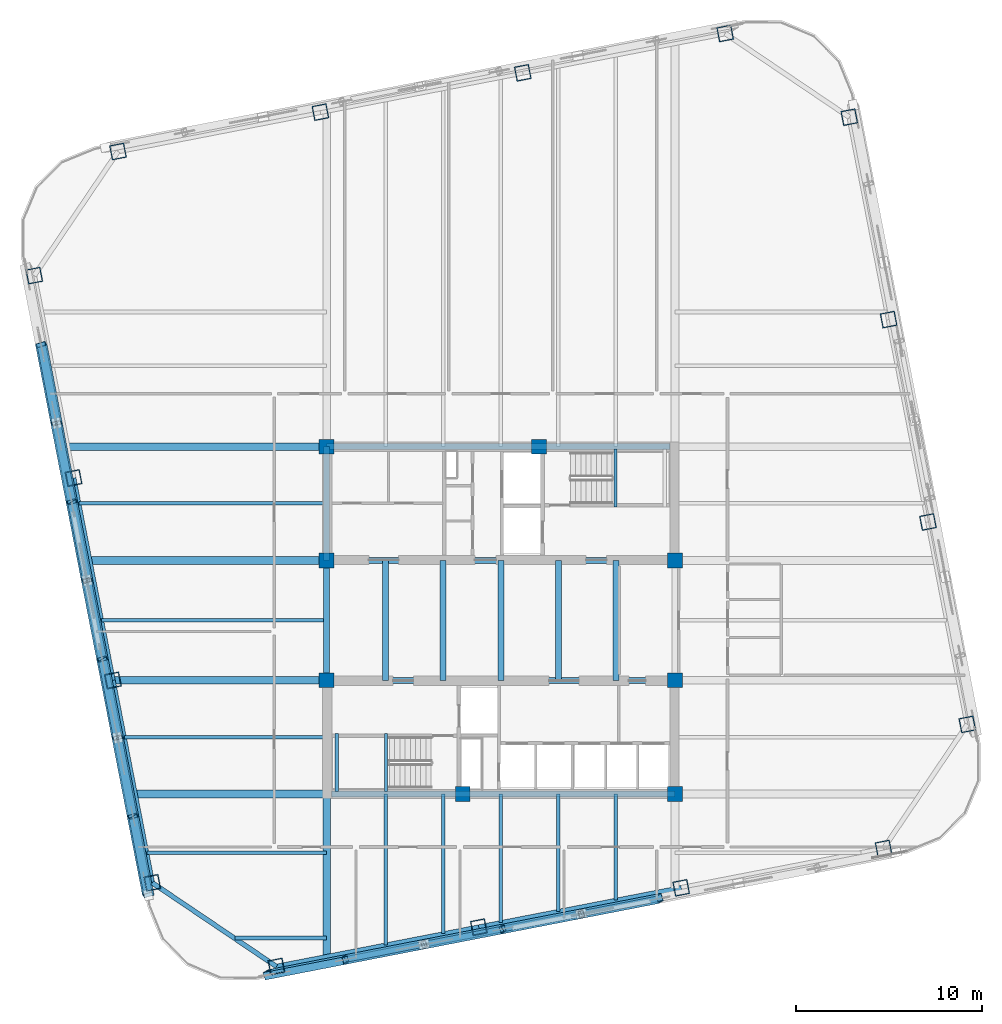
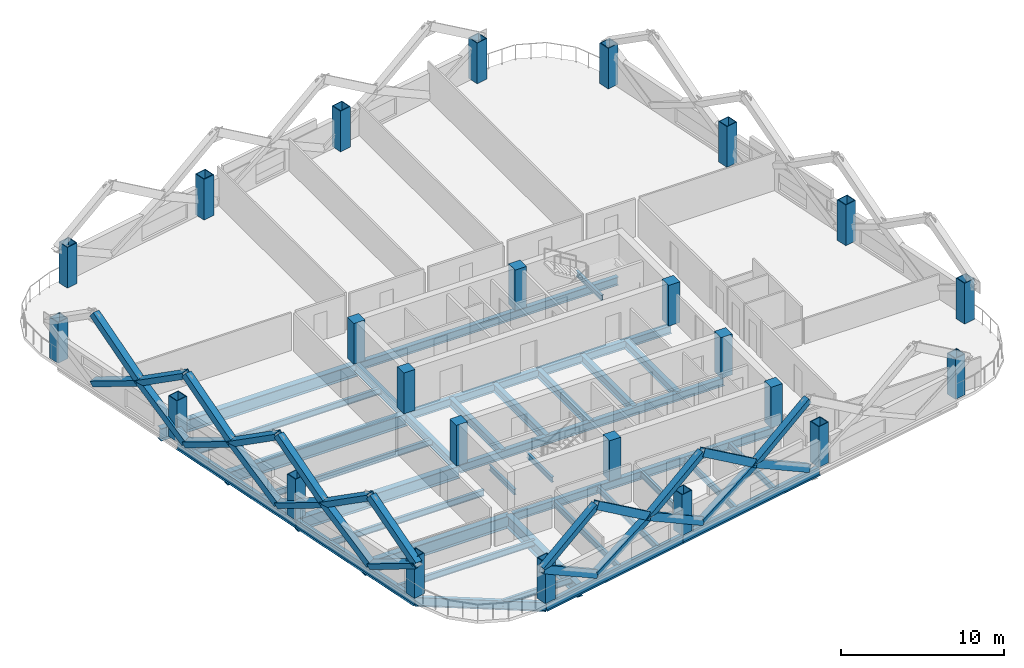
# One storey, part 1 of 10: 34 beams, 24 columns, 24 members.
"""IFC4 building model written with IfcOpenShell, lengths in metres."""

from ifc_helpers import new_model, si_unit, direction, frame, origin, origin_2d, place, context, subcontext, project, spatial, rectangle, hollow_rectangle, i_section, extrude, material, material_profile, profile_set, type_object, element, save


model = new_model("IFC4")

# Units and contexts
model_context = context("Model", 3, precision=1e-05, world=origin(), true_north=direction((0.0, 1.0)))
body_context = subcontext(model_context, "Body", "Model", "MODEL_VIEW")
ifc_project = project(units=[si_unit("LENGTHUNIT", "METRE"), si_unit("AREAUNIT", "SQUARE_METRE"), si_unit("VOLUMEUNIT", "CUBIC_METRE"), si_unit("PLANEANGLEUNIT", "RADIAN"), si_unit("MASSUNIT", "GRAM", prefix="KILO")], contexts=[model_context])

# Site, building, storey
site_placement = place(None, origin())
site = spatial("IfcSite", under=ifc_project, at=site_placement, CompositionType="ELEMENT")
building_placement = place(site_placement, origin())
building = spatial("IfcBuilding", under=site, at=building_placement, Name="Qhalaya Broadcast Tower", CompositionType="ELEMENT")
storey_placement = place(building_placement, frame((0.0, 0.0, 125.0)))
storey = spatial("IfcBuildingStorey", under=building, at=storey_placement, Name="L36", CompositionType="ELEMENT", Elevation=125.0)

# Columns
ifc_material_1 = material(Name="Concrete C50/60", Category="concrete")
ifc_material_profile_1 = material_profile(ifc_material_1, rectangle(XDim=0.800048828125, YDim=0.800048828125, at=origin_2d()), Name="RC-COL 800x800")
ifc_profile_set_1 = profile_set([ifc_material_profile_1], Name="Concrete C50/60")
column_type_1 = type_object("IfcColumnType", Name="RC Upper Column C10", PredefinedType="COLUMN", material=ifc_profile_set_1)
for number, where, z_axis, x_axis, name in (
    (1, (-9.375, 9.949951171875, 0.0), (0.0, 0.0, 1.0), (1.0, 0.0, 0.0), "L36 Column COL-CC1"),
    (2, (2.050048828125, 9.949951171875, 0.0), (0.0, 0.0, 1.0), (1.0, 0.0, 0.0), "L36 Column COL-CC2"),
    (3, (-9.375, 3.824951171875, 0.0), (0.0, 0.0, 1.0), (1.0, 0.0, 0.0), "L36 Column COL-CC3"),
    (4, (9.375, 3.824951171875, 0.0), (0.0, 0.0, 1.0), (1.0, 0.0, 0.0), "L36 Column COL-CC4"),
    (5, (-9.375, -2.625, 0.0), (0.0, 0.0, 1.0), (1.0, 0.0, 0.0), "L36 Column COL-CC5"),
    (6, (9.375, -2.625, 0.0), (0.0, 0.0, 1.0), (1.0, 0.0, 0.0), "L36 Column COL-CC6"),
    (7, (-2.050048828125, -8.75, 0.0), (0.0, 0.0, 1.0), (1.0, 0.0, 0.0), "L36 Column COL-CC7"),
    (8, (9.375, -8.75, 0.0), (0.0, 0.0, 1.0), (1.0, 0.0, 0.0), "L36 Column COL-CC8"),
):
    element("IfcColumn", number, at=place(storey_placement, frame(where, z_axis=z_axis, x_axis=x_axis)), inside=storey, type_object=column_type_1, Name=name, PredefinedType="COLUMN", context=body_context, shape_type="SweptSolid", body=[
        extrude(rectangle(XDim=0.800048828125, YDim=0.800048828125, at=origin_2d()), origin(), (0.0, 0.0, 1.0), 3.050048828125),
    ])
ifc_material_2 = material(Name="Structural Steel ASTM A572 Grade 50", Category="steel")
ifc_material_profile_2 = material_profile(ifc_material_2, hollow_rectangle(XDim=0.800048828125, YDim=0.800048828125, WallThickness=0.050048828125, at=origin_2d()), Name="BOX 800x800x50")
ifc_profile_set_2 = profile_set([ifc_material_profile_2], Name="Structural Steel ASTM A572 Grade 50")
column_type_2 = type_object("IfcColumnType", Name="Steel Box Column C03", PredefinedType="COLUMN", material=ifc_profile_set_2)
for number, where, z_axis, x_axis, name in (
    (9, (-12.07958984375, -18.036376953125, 0.0), (0.0, 0.0, 1.0), (0.981627183448, 0.190808995377, 0.0), "L36 Column COL-EX01"),
    (10, (-1.183349609375, -15.91845703125, 0.0), (0.0, 0.0, 1.0), (0.981627183448, 0.190808995377, 0.0), "L36 Column COL-EX02"),
    (11, (9.712646484375, -13.80029296875, 0.0), (0.0, 0.0, 1.0), (0.981627183448, 0.190808995377, 0.0), "L36 Column COL-EX03"),
    (12, (20.608642578125, -11.682373046875, 0.0), (0.0, 0.0, 1.0), (0.981627183448, 0.190808995377, 0.0), "L36 Column COL-EX04"),
    (13, (25.1162109375, -4.99951171875, 0.0), (0.0, 0.0, 1.0), (-0.190808995377, 0.981627183448, 0.0), "L36 Column COL-EX05"),
    (14, (22.998291015625, 5.896484375, 0.0), (0.0, 0.0, 1.0), (-0.190808995377, 0.981627183448, 0.0), "L36 Column COL-EX06"),
    (15, (20.88037109375, 16.79248046875, 0.0), (0.0, 0.0, 1.0), (-0.190808995377, 0.981627183448, 0.0), "L36 Column COL-EX07"),
    (16, (18.762451171875, 27.688720703125, 0.0), (0.0, 0.0, 1.0), (-0.190808995377, 0.981627183448, 0.0), "L36 Column COL-EX08"),
    (17, (12.07958984375, 32.1962890625, 0.0), (0.0, 0.0, 1.0), (0.981627183448, 0.190808995377, 0.0), "L36 Column COL-EX09"),
    (18, (1.183349609375, 30.078369140625, 0.0), (0.0, 0.0, 1.0), (0.981627183448, 0.190808995377, 0.0), "L36 Column COL-EX10"),
    (19, (-9.712646484375, 27.96044921875, 0.0), (0.0, 0.0, 1.0), (0.981627183448, 0.190808995377, 0.0), "L36 Column COL-EX11"),
    (20, (-20.608642578125, 25.84228515625, 0.0), (0.0, 0.0, 1.0), (0.981627183448, 0.190808995377, 0.0), "L36 Column COL-EX12"),
    (21, (-25.1162109375, 19.159423828125, 0.0), (0.0, 0.0, 1.0), (-0.190808995377, 0.981627183448, 0.0), "L36 Column COL-EX13"),
    (22, (-22.998291015625, 8.263427734375, 0.0), (0.0, 0.0, 1.0), (-0.190808995377, 0.981627183448, 0.0), "L36 Column COL-EX14"),
    (23, (-20.88037109375, -2.632568359375, 0.0), (0.0, 0.0, 1.0), (-0.190808995377, 0.981627183448, 0.0), "L36 Column COL-EX15"),
    (24, (-18.762451171875, -13.52880859375, 0.0), (0.0, 0.0, 1.0), (-0.190808995377, 0.981627183448, 0.0), "L36 Column COL-EX16"),
):
    element("IfcColumn", number, at=place(storey_placement, frame(where, z_axis=z_axis, x_axis=x_axis)), inside=storey, type_object=column_type_2, Name=name, PredefinedType="COLUMN", context=body_context, shape_type="SweptSolid", body=[
        extrude(hollow_rectangle(XDim=0.800048828125, YDim=0.800048828125, WallThickness=0.050048828125, at=origin_2d()), origin(), (0.0, 0.0, 1.0), 3.050048828125),
    ])

# Beams
ifc_material_3 = material(Name="Structural Steel ASTM A992 Grade 50", Category="steel")
ifc_material_profile_3 = material_profile(ifc_material_3, i_section(OverallWidth=0.19189453125, OverallDepth=0.462890625, WebThickness=0.010498046875, FlangeThickness=0.017578125, at=origin_2d()), Name="W18X60")
ifc_profile_set_3 = profile_set([ifc_material_profile_3], Name="Structural Steel ASTM A992 Grade 50")
beam_type_1 = type_object("IfcBeamType", Name="Composite Floor Joist J03", PredefinedType="JOIST", material=ifc_profile_set_3)
beam_1_placement = place(storey_placement, frame((-6.199951171875, -16.873046875, -0.451416015625), z_axis=(0.0, 1.0, 0.0), x_axis=(-1.0, 0.0, 0.0)))
element("IfcBeam", 25, at=beam_1_placement, inside=storey, type_object=beam_type_1, Name="L36 J03 L36-JNS1-1", PredefinedType="JOIST", context=body_context, shape_type="SweptSolid", body=[
    extrude(i_section(OverallWidth=0.19189453125, OverallDepth=0.462890625, WebThickness=0.010498046875, FlangeThickness=0.017578125, at=origin_2d()), origin(), (0.0, 0.0, 1.0), 8.123046875),
])
beam_2_placement = place(storey_placement, frame((-3.10009765625, -16.2705078125, -0.451416015625), z_axis=(0.0, 1.0, 0.0), x_axis=(-1.0, 0.0, 0.0)))
element("IfcBeam", 26, at=beam_2_placement, inside=storey, type_object=beam_type_1, Name="L36 J03 L36-JNS2-1", PredefinedType="JOIST", context=body_context, shape_type="SweptSolid", body=[
    extrude(i_section(OverallWidth=0.19189453125, OverallDepth=0.462890625, WebThickness=0.010498046875, FlangeThickness=0.017578125, at=origin_2d()), origin(), (0.0, 0.0, 1.0), 7.5205078125),
])
beam_3_placement = place(storey_placement, frame((0.0, -15.66796875, -0.451416015625), z_axis=(0.0, 1.0, 0.0), x_axis=(-1.0, 0.0, 0.0)))
element("IfcBeam", 27, at=beam_3_placement, inside=storey, type_object=beam_type_1, Name="L36 J03 L36-JNS3-1", PredefinedType="JOIST", context=body_context, shape_type="SweptSolid", body=[
    extrude(i_section(OverallWidth=0.19189453125, OverallDepth=0.462890625, WebThickness=0.010498046875, FlangeThickness=0.017578125, at=origin_2d()), origin(), (0.0, 0.0, 1.0), 6.91796875),
])
beam_4_placement = place(storey_placement, frame((3.10009765625, -15.0654296875, -0.451416015625), z_axis=(0.0, 1.0, 0.0), x_axis=(-1.0, 0.0, 0.0)))
element("IfcBeam", 28, at=beam_4_placement, inside=storey, type_object=beam_type_1, Name="L36 J03 L36-JNS4-1", PredefinedType="JOIST", context=body_context, shape_type="SweptSolid", body=[
    extrude(i_section(OverallWidth=0.19189453125, OverallDepth=0.462890625, WebThickness=0.010498046875, FlangeThickness=0.017578125, at=origin_2d()), origin(), (0.0, 0.0, 1.0), 6.3154296875),
])
beam_5_placement = place(storey_placement, frame((6.199951171875, -14.462890625, -0.451416015625), z_axis=(0.0, 1.0, 0.0), x_axis=(-1.0, 0.0, 0.0)))
element("IfcBeam", 29, at=beam_5_placement, inside=storey, type_object=beam_type_1, Name="L36 J03 L36-JNS5-1", PredefinedType="JOIST", context=body_context, shape_type="SweptSolid", body=[
    extrude(i_section(OverallWidth=0.19189453125, OverallDepth=0.462890625, WebThickness=0.010498046875, FlangeThickness=0.017578125, at=origin_2d()), origin(), (0.0, 0.0, 1.0), 5.712890625),
])
beam_6_placement = place(storey_placement, frame((-14.3212890625, -16.5, -0.451416015625), z_axis=(1.0, 0.0, 0.0), x_axis=(0.0, 1.0, 0.0)))
element("IfcBeam", 30, at=beam_6_placement, inside=storey, type_object=beam_type_1, Name="L36 J03 L36-JWE1W-1", PredefinedType="JOIST", context=body_context, shape_type="SweptSolid", body=[
    extrude(i_section(OverallWidth=0.19189453125, OverallDepth=0.462890625, WebThickness=0.010498046875, FlangeThickness=0.017578125, at=origin_2d()), origin(), (0.0, 0.0, 1.0), 4.9462890625),
])
beam_7_placement = place(storey_placement, frame((-19.05859375, -11.89990234375, -0.451416015625), z_axis=(1.0, 0.0, 0.0), x_axis=(0.0, 1.0, 0.0)))
element("IfcBeam", 31, at=beam_7_placement, inside=storey, type_object=beam_type_1, Name="L36 J03 L36-JWE2W-1", PredefinedType="JOIST", context=body_context, shape_type="SweptSolid", body=[
    extrude(i_section(OverallWidth=0.19189453125, OverallDepth=0.462890625, WebThickness=0.010498046875, FlangeThickness=0.017578125, at=origin_2d()), origin(), (0.0, 0.0, 1.0), 9.68359375),
])
beam_8_placement = place(storey_placement, frame((-20.263916015625, -5.699951171875, -0.451416015625), z_axis=(1.0, 0.0, 0.0), x_axis=(0.0, 1.0, 0.0)))
element("IfcBeam", 32, at=beam_8_placement, inside=storey, type_object=beam_type_1, Name="L36 J03 L36-JWE3W-1", PredefinedType="JOIST", context=body_context, shape_type="SweptSolid", body=[
    extrude(i_section(OverallWidth=0.19189453125, OverallDepth=0.462890625, WebThickness=0.010498046875, FlangeThickness=0.017578125, at=origin_2d()), origin(), (0.0, 0.0, 1.0), 10.888916015625),
])
beam_9_placement = place(storey_placement, frame((-21.48828125, 0.60009765625, -0.451416015625), z_axis=(1.0, 0.0, 0.0), x_axis=(0.0, 1.0, 0.0)))
element("IfcBeam", 33, at=beam_9_placement, inside=storey, type_object=beam_type_1, Name="L36 J03 L36-JWE4W-1", PredefinedType="JOIST", context=body_context, shape_type="SweptSolid", body=[
    extrude(i_section(OverallWidth=0.19189453125, OverallDepth=0.462890625, WebThickness=0.010498046875, FlangeThickness=0.017578125, at=origin_2d()), origin(), (0.0, 0.0, 1.0), 12.11328125),
])
beam_10_placement = place(storey_placement, frame((-22.712890625, 6.89990234375, -0.451416015625), z_axis=(1.0, 0.0, 0.0), x_axis=(0.0, 1.0, 0.0)))
element("IfcBeam", 34, at=beam_10_placement, inside=storey, type_object=beam_type_1, Name="L36 J03 L36-JWE5W-1", PredefinedType="JOIST", context=body_context, shape_type="SweptSolid", body=[
    extrude(i_section(OverallWidth=0.19189453125, OverallDepth=0.462890625, WebThickness=0.010498046875, FlangeThickness=0.017578125, at=origin_2d()), origin(), (0.0, 0.0, 1.0), 13.337890625),
])
ifc_material_profile_4 = material_profile(ifc_material_3, i_section(OverallWidth=0.323974609375, OverallDepth=0.612060546875, WebThickness=0.0126953125, FlangeThickness=0.01904296875, at=origin_2d()), Name="W24X104")
ifc_profile_set_4 = profile_set([ifc_material_profile_4], Name="Structural Steel ASTM A992 Grade 50")
beam_type_2 = type_object("IfcBeamType", Name="Core Frame Tie Beam B04", PredefinedType="BEAM", material=ifc_profile_set_4)
beam_11_placement = place(storey_placement, frame((-9.375, 3.824951171875, -0.52587890625), z_axis=(1.0, 0.0, 0.0), x_axis=(0.0, 1.0, 0.0)))
element("IfcBeam", 35, at=beam_11_placement, inside=storey, type_object=beam_type_2, Name="L36 B04 L36-CCN1", PredefinedType="BEAM", context=body_context, shape_type="SweptSolid", body=[
    extrude(i_section(OverallWidth=0.323974609375, OverallDepth=0.612060546875, WebThickness=0.0126953125, FlangeThickness=0.01904296875, at=origin_2d()), origin(), (0.0, 0.0, 1.0), 18.75),
])
beam_12_placement = place(storey_placement, frame((-9.375, 3.824951171875, -0.52587890625), z_axis=(0.0, 1.0, 0.0), x_axis=(-1.0, 0.0, 0.0)))
element("IfcBeam", 36, at=beam_12_placement, inside=storey, type_object=beam_type_2, Name="L36 B04 L36-CCN2", PredefinedType="BEAM", context=body_context, shape_type="SweptSolid", body=[
    extrude(i_section(OverallWidth=0.323974609375, OverallDepth=0.612060546875, WebThickness=0.0126953125, FlangeThickness=0.01904296875, at=origin_2d()), origin(), (0.0, 0.0, 1.0), 6.125),
])
beam_13_placement = place(storey_placement, frame((-9.375, 9.949951171875, -0.52587890625), z_axis=(1.0, 0.0, 0.0), x_axis=(0.0, 1.0, 0.0)))
element("IfcBeam", 37, at=beam_13_placement, inside=storey, type_object=beam_type_2, Name="L36 B04 L36-CCN3", PredefinedType="BEAM", context=body_context, shape_type="SweptSolid", body=[
    extrude(i_section(OverallWidth=0.323974609375, OverallDepth=0.612060546875, WebThickness=0.0126953125, FlangeThickness=0.01904296875, at=origin_2d()), origin(), (0.0, 0.0, 1.0), 18.4951171875),
])
beam_14_placement = place(storey_placement, frame((-9.375, -2.625, -0.52587890625), z_axis=(1.0, 0.0, 0.0), x_axis=(0.0, 1.0, 0.0)))
element("IfcBeam", 38, at=beam_14_placement, inside=storey, type_object=beam_type_2, Name="L36 B04 L36-CCS1", PredefinedType="BEAM", context=body_context, shape_type="SweptSolid", body=[
    extrude(i_section(OverallWidth=0.323974609375, OverallDepth=0.612060546875, WebThickness=0.0126953125, FlangeThickness=0.01904296875, at=origin_2d()), origin(), (0.0, 0.0, 1.0), 18.75),
])
beam_15_placement = place(storey_placement, frame((-9.1201171875, -8.75, -0.52587890625), z_axis=(1.0, 0.0, 0.0), x_axis=(0.0, 1.0, 0.0)))
element("IfcBeam", 39, at=beam_15_placement, inside=storey, type_object=beam_type_2, Name="L36 B04 L36-CCS3", PredefinedType="BEAM", context=body_context, shape_type="SweptSolid", body=[
    extrude(i_section(OverallWidth=0.323974609375, OverallDepth=0.612060546875, WebThickness=0.0126953125, FlangeThickness=0.01904296875, at=origin_2d()), origin(), (0.0, 0.0, 1.0), 18.4951171875),
])
for number, where, z_axis, x_axis, name in (
    (40, (-9.375, -2.625, -0.52587890625), (0.0, 1.0, 0.0), (-1.0, 0.0, 0.0), "L36 B04 L36-CCW"),
    (41, (-6.199951171875, -2.625, -0.52587890625), (0.0, 1.0, 0.0), (-1.0, 0.0, 0.0), "L36 B04 L36-JC1-1"),
    (42, (-3.10009765625, -2.625, -0.52587890625), (0.0, 1.0, 0.0), (-1.0, 0.0, 0.0), "L36 B04 L36-JC2-1"),
    (43, (0.0, -2.625, -0.52587890625), (0.0, 1.0, 0.0), (-1.0, 0.0, 0.0), "L36 B04 L36-JC3-1"),
    (44, (3.10009765625, -2.625, -0.52587890625), (0.0, 1.0, 0.0), (-1.0, 0.0, 0.0), "L36 B04 L36-JC4-1"),
    (45, (6.199951171875, -2.625, -0.52587890625), (0.0, 1.0, 0.0), (-1.0, 0.0, 0.0), "L36 B04 L36-JC5-1"),
):
    element("IfcBeam", number, at=place(storey_placement, frame(where, z_axis=z_axis, x_axis=x_axis)), inside=storey, type_object=beam_type_2, Name=name, PredefinedType="BEAM", context=body_context, shape_type="SweptSolid", body=[
        extrude(i_section(OverallWidth=0.323974609375, OverallDepth=0.612060546875, WebThickness=0.0126953125, FlangeThickness=0.01904296875, at=origin_2d()), origin(), (0.0, 0.0, 1.0), 6.449951171875),
    ])

# Members
ifc_material_profile_5 = material_profile(ifc_material_2, hollow_rectangle(XDim=0.419921875, YDim=0.550048828125, WallThickness=0.028076171875, at=origin_2d()), Name="BOX 420x550x28")
ifc_profile_set_5 = profile_set([ifc_material_profile_5], Name="Structural Steel ASTM A572 Grade 50")
member_type = type_object("IfcMemberType", Name="Exoskeleton Diamond Diagonal Mid-Low EX2", PredefinedType="BRACE", material=ifc_profile_set_5)
for number, where, z_axis, x_axis, name in (
    (46, (-8.370361328125, -17.66162109375, 0.360107421875), (-0.863638454011, -0.167906178469, 0.475327398733), (0.276367332329, -0.94627634662, 0.167875470061), "B3 Exoskeleton Diamond Brace S1-D1"),
    (47, (-8.370361328125, -17.66162109375, 0.360107421875), (0.863645675846, 0.16785777309, 0.47533137347), (-0.276315488493, 0.946291559163, 0.167875060316), "B3 Exoskeleton Diamond Brace S1-D2"),
):
    element("IfcMember", number, at=place(storey_placement, frame(where, z_axis=z_axis, x_axis=x_axis)), inside=storey, type_object=member_type, Name=name, PredefinedType="BRACE", context=body_context, shape_type="SweptSolid", body=[
        extrude(hollow_rectangle(XDim=0.419921875, YDim=0.550048828125, WallThickness=0.028076171875, at=origin_2d()), origin(), (0.0, 0.0, 1.0), 4.901611328125),
    ])
for number, where, z_axis, x_axis, name in (
    (48, (-12.603515625, -18.484619140625, 2.68994140625), (0.822423775729, 0.159893335716, 0.545942537553), (-0.289593689204, 0.943704915221, 0.15986409278), "B3 Exoskeleton Diamond Brace S1-D3"),
    (49, (-4.13720703125, -16.8388671875, 2.68994140625), (-0.822430012189, -0.159847115813, 0.545946677449), (0.289542019185, -0.943720856791, 0.159863578043), "B3 Exoskeleton Diamond Brace S1-D4"),
):
    element("IfcMember", number, at=place(storey_placement, frame(where, z_axis=z_axis, x_axis=x_axis)), inside=storey, type_object=member_type, Name=name, PredefinedType="BRACE", context=body_context, shape_type="SweptSolid", body=[
        extrude(hollow_rectangle(XDim=0.419921875, YDim=0.550048828125, WallThickness=0.028076171875, at=origin_2d()), origin(), (0.0, 0.0, 1.0), 5.147216796875),
    ])
member_1_placement = place(storey_placement, frame((0.09619140625, -16.01611328125, 0.360107421875), z_axis=(-0.86365833241, -0.167850552493, 0.475310926539), x_axis=(0.276301438011, -0.94629528784, 0.16787716809)))
element("IfcMember", 50, at=member_1_placement, inside=storey, type_object=member_type, Name="B3 Exoskeleton Diamond Brace S2-D1", PredefinedType="BRACE", context=body_context, shape_type="SweptSolid", body=[
    extrude(hollow_rectangle(XDim=0.419921875, YDim=0.550048828125, WallThickness=0.028076171875, at=origin_2d()), origin(), (0.0, 0.0, 1.0), 4.901611328125),
])
member_2_placement = place(storey_placement, frame((0.09619140625, -16.01611328125, 0.360107421875), z_axis=(0.863651111089, 0.16789895591, 0.475306952314), x_axis=(-0.276353279337, 0.946280076872, 0.16787757776)))
element("IfcMember", 51, at=member_2_placement, inside=storey, type_object=member_type, Name="B3 Exoskeleton Diamond Brace S2-D2", PredefinedType="BRACE", context=body_context, shape_type="SweptSolid", body=[
    extrude(hollow_rectangle(XDim=0.419921875, YDim=0.550048828125, WallThickness=0.028076171875, at=origin_2d()), origin(), (0.0, 0.0, 1.0), 4.90185546875),
])
member_3_placement = place(storey_placement, frame((-4.13720703125, -16.8388671875, 2.68994140625), z_axis=(0.822445360829, 0.159840880392, 0.545925380804), x_axis=(-0.289527837313, 0.943724759255, 0.159866225918)))
element("IfcMember", 52, at=member_3_placement, inside=storey, type_object=member_type, Name="B3 Exoskeleton Diamond Brace S2-D3", PredefinedType="BRACE", context=body_context, shape_type="SweptSolid", body=[
    extrude(hollow_rectangle(XDim=0.419921875, YDim=0.550048828125, WallThickness=0.028076171875, at=origin_2d()), origin(), (0.0, 0.0, 1.0), 5.147216796875),
])
member_4_placement = place(storey_placement, frame((4.32958984375, -15.193115234375, 2.68994140625), z_axis=(-0.822439124739, -0.159887098587, 0.545921241393), x_axis=(0.289579504833, -0.943708819309, 0.159866740566)))
element("IfcMember", 53, at=member_4_placement, inside=storey, type_object=member_type, Name="B3 Exoskeleton Diamond Brace S2-D4", PredefinedType="BRACE", context=body_context, shape_type="SweptSolid", body=[
    extrude(hollow_rectangle(XDim=0.419921875, YDim=0.550048828125, WallThickness=0.028076171875, at=origin_2d()), origin(), (0.0, 0.0, 1.0), 5.1474609375),
])
member_5_placement = place(storey_placement, frame((8.562744140625, -14.370361328125, 0.360107421875), z_axis=(-0.863645675846, -0.16785777309, 0.47533137347), x_axis=(0.276315488493, -0.946291559163, 0.167875060316)))
element("IfcMember", 54, at=member_5_placement, inside=storey, type_object=member_type, Name="B3 Exoskeleton Diamond Brace S3-D1", PredefinedType="BRACE", context=body_context, shape_type="SweptSolid", body=[
    extrude(hollow_rectangle(XDim=0.419921875, YDim=0.550048828125, WallThickness=0.028076171875, at=origin_2d()), origin(), (0.0, 0.0, 1.0), 4.901611328125),
])
member_6_placement = place(storey_placement, frame((4.32958984375, -15.193115234375, 2.68994140625), z_axis=(0.822430012189, 0.159847115813, 0.545946677449), x_axis=(-0.289542019185, 0.943720856791, 0.159863578043)))
element("IfcMember", 55, at=member_6_placement, inside=storey, type_object=member_type, Name="B3 Exoskeleton Diamond Brace S3-D3", PredefinedType="BRACE", context=body_context, shape_type="SweptSolid", body=[
    extrude(hollow_rectangle(XDim=0.419921875, YDim=0.550048828125, WallThickness=0.028076171875, at=origin_2d()), origin(), (0.0, 0.0, 1.0), 5.147216796875),
])
member_7_placement = place(storey_placement, frame((-24.74169921875, 15.4501953125, 0.360107421875), z_axis=(0.167906178469, -0.863638454011, 0.475327398733), x_axis=(-0.276348676601, 0.421603745685, 0.863644423687)))
element("IfcMember", 56, at=member_7_placement, inside=storey, type_object=member_type, Name="B3 Exoskeleton Diamond Brace W1-D2", PredefinedType="BRACE", context=body_context, shape_type="SweptSolid", body=[
    extrude(hollow_rectangle(XDim=0.419921875, YDim=0.550048828125, WallThickness=0.028076171875, at=origin_2d()), origin(), (0.0, 0.0, 1.0), 4.901611328125),
])
member_8_placement = place(storey_placement, frame((-23.918701171875, 11.217041015625, 2.68994140625), z_axis=(-0.159893335716, 0.822423775729, 0.545942537553), x_axis=(0.289577544331, -0.489647453062, 0.822429460519)))
element("IfcMember", 57, at=member_8_placement, inside=storey, type_object=member_type, Name="B3 Exoskeleton Diamond Brace W1-D4", PredefinedType="BRACE", context=body_context, shape_type="SweptSolid", body=[
    extrude(hollow_rectangle(XDim=0.419921875, YDim=0.550048828125, WallThickness=0.028076171875, at=origin_2d()), origin(), (0.0, 0.0, 1.0), 5.147216796875),
])
for number, where, z_axis, x_axis, name in (
    (58, (-23.095947265625, 6.98388671875, 0.360107421875), (-0.16785777309, 0.863645675846, 0.47533137347), (0.276325990581, -0.421622932738, 0.86364231573), "B3 Exoskeleton Diamond Brace W2-D1"),
    (59, (-23.095947265625, 6.98388671875, 0.360107421875), (0.167850552493, -0.86365833241, 0.475310926539), (-0.276317607547, 0.421606214628, 0.863653159287), "B3 Exoskeleton Diamond Brace W2-D2"),
):
    element("IfcMember", number, at=place(storey_placement, frame(where, z_axis=z_axis, x_axis=x_axis)), inside=storey, type_object=member_type, Name=name, PredefinedType="BRACE", context=body_context, shape_type="SweptSolid", body=[
        extrude(hollow_rectangle(XDim=0.419921875, YDim=0.550048828125, WallThickness=0.028076171875, at=origin_2d()), origin(), (0.0, 0.0, 1.0), 4.901611328125),
    ])
for number, where, z_axis, x_axis, name in (
    (60, (-23.918701171875, 11.217041015625, 2.68994140625), (0.159847115813, -0.822430012189, 0.545946677449), (-0.289551107794, 0.489667534331, 0.822426812426), "B3 Exoskeleton Diamond Brace W2-D3"),
    (61, (-22.273193359375, 2.75048828125, 2.68994140625), (-0.159840880392, 0.822445360829, 0.545925380804), (0.289541830698, -0.489650140275, 0.822440434563), "B3 Exoskeleton Diamond Brace W2-D4"),
):
    element("IfcMember", number, at=place(storey_placement, frame(where, z_axis=z_axis, x_axis=x_axis)), inside=storey, type_object=member_type, Name=name, PredefinedType="BRACE", context=body_context, shape_type="SweptSolid", body=[
        extrude(hollow_rectangle(XDim=0.419921875, YDim=0.550048828125, WallThickness=0.028076171875, at=origin_2d()), origin(), (0.0, 0.0, 1.0), 5.147216796875),
    ])
for number, where, z_axis, x_axis, name in (
    (62, (-21.4501953125, -1.482666015625, 0.360107421875), (-0.167906178469, 0.863638454011, 0.475327398733), (0.276348676601, -0.421603745685, 0.863644423687), "B3 Exoskeleton Diamond Brace W3-D1"),
    (63, (-21.4501953125, -1.482666015625, 0.360107421875), (0.167850552493, -0.86365833241, 0.475310926539), (-0.276317607547, 0.421606214628, 0.863653159287), "B3 Exoskeleton Diamond Brace W3-D2"),
):
    element("IfcMember", number, at=place(storey_placement, frame(where, z_axis=z_axis, x_axis=x_axis)), inside=storey, type_object=member_type, Name=name, PredefinedType="BRACE", context=body_context, shape_type="SweptSolid", body=[
        extrude(hollow_rectangle(XDim=0.419921875, YDim=0.550048828125, WallThickness=0.028076171875, at=origin_2d()), origin(), (0.0, 0.0, 1.0), 4.901611328125),
    ])
for number, where, z_axis, x_axis, name in (
    (64, (-22.273193359375, 2.75048828125, 2.68994140625), (0.159893335716, -0.822423775729, 0.545942537553), (-0.289577544331, 0.489647453062, 0.822429460519), "B3 Exoskeleton Diamond Brace W3-D3"),
    (65, (-20.62744140625, -5.716064453125, 2.68994140625), (-0.159840880392, 0.822445360829, 0.545925380804), (0.289541830698, -0.489650140275, 0.822440434563), "B3 Exoskeleton Diamond Brace W3-D4"),
):
    element("IfcMember", number, at=place(storey_placement, frame(where, z_axis=z_axis, x_axis=x_axis)), inside=storey, type_object=member_type, Name=name, PredefinedType="BRACE", context=body_context, shape_type="SweptSolid", body=[
        extrude(hollow_rectangle(XDim=0.419921875, YDim=0.550048828125, WallThickness=0.028076171875, at=origin_2d()), origin(), (0.0, 0.0, 1.0), 5.147216796875),
    ])
for number, where, z_axis, x_axis, name in (
    (66, (-19.804443359375, -9.94921875, 0.360107421875), (-0.167906178469, 0.863638454011, 0.475327398733), (0.276348676601, -0.421603745685, 0.863644423687), "B3 Exoskeleton Diamond Brace W4-D1"),
    (67, (-19.804443359375, -9.94921875, 0.360107421875), (0.167850552493, -0.86365833241, 0.475310926539), (-0.276317607547, 0.421606214628, 0.863653159287), "B3 Exoskeleton Diamond Brace W4-D2"),
):
    element("IfcMember", number, at=place(storey_placement, frame(where, z_axis=z_axis, x_axis=x_axis)), inside=storey, type_object=member_type, Name=name, PredefinedType="BRACE", context=body_context, shape_type="SweptSolid", body=[
        extrude(hollow_rectangle(XDim=0.419921875, YDim=0.550048828125, WallThickness=0.028076171875, at=origin_2d()), origin(), (0.0, 0.0, 1.0), 4.901611328125),
    ])
for number, where, z_axis, x_axis, name in (
    (68, (-20.62744140625, -5.716064453125, 2.68994140625), (0.159893335716, -0.822423775729, 0.545942537553), (-0.289577544331, 0.489647453062, 0.822429460519), "B3 Exoskeleton Diamond Brace W4-D3"),
    (69, (-18.981689453125, -14.1826171875, 2.68994140625), (-0.159840880392, 0.822445360829, 0.545925380804), (0.289541830698, -0.489650140275, 0.822440434563), "B3 Exoskeleton Diamond Brace W4-D4"),
):
    element("IfcMember", number, at=place(storey_placement, frame(where, z_axis=z_axis, x_axis=x_axis)), inside=storey, type_object=member_type, Name=name, PredefinedType="BRACE", context=body_context, shape_type="SweptSolid", body=[
        extrude(hollow_rectangle(XDim=0.419921875, YDim=0.550048828125, WallThickness=0.028076171875, at=origin_2d()), origin(), (0.0, 0.0, 1.0), 5.147216796875),
    ])

# Beams
ifc_material_profile_6 = material_profile(ifc_material_3, i_section(OverallWidth=0.4189453125, OverallDepth=0.927001953125, WebThickness=0.019287109375, FlangeThickness=0.031982421875, at=origin_2d()), Name="W36X231")
ifc_profile_set_6 = profile_set([ifc_material_profile_6], Name="Structural Steel ASTM A992 Grade 50")
beam_type_3 = type_object("IfcBeamType", Name="Mid Block Primary Girder PG3", PredefinedType="USERDEFINED", material=ifc_profile_set_6)
beam_16_placement = place(storey_placement, frame((-9.375, -17.490234375, -0.68359375), z_axis=(0.0, 1.0, 0.0), x_axis=(-1.0, 0.0, 0.0)))
element("IfcBeam", 70, at=beam_16_placement, inside=storey, type_object=beam_type_3, Name="L36 PG3 L36-PGXS1-1", ObjectType="GIRDER", PredefinedType="USERDEFINED", context=body_context, shape_type="SweptSolid", body=[
    extrude(i_section(OverallWidth=0.4189453125, OverallDepth=0.927001953125, WebThickness=0.019287109375, FlangeThickness=0.031982421875, at=origin_2d()), origin(), (0.0, 0.0, 1.0), 8.740234375),
])
beam_17_placement = place(storey_placement, frame((-19.6708984375, -8.75, -0.68359375), z_axis=(1.0, 0.0, 0.0), x_axis=(0.0, 1.0, 0.0)))
element("IfcBeam", 71, at=beam_17_placement, inside=storey, type_object=beam_type_3, Name="L36 PG3 L36-PGYW1-1", ObjectType="GIRDER", PredefinedType="USERDEFINED", context=body_context, shape_type="SweptSolid", body=[
    extrude(i_section(OverallWidth=0.4189453125, OverallDepth=0.927001953125, WebThickness=0.019287109375, FlangeThickness=0.031982421875, at=origin_2d()), origin(), (0.0, 0.0, 1.0), 10.2958984375),
])
beam_18_placement = place(storey_placement, frame((-20.861572265625, -2.625, -0.68359375), z_axis=(1.0, 0.0, 0.0), x_axis=(0.0, 1.0, 0.0)))
element("IfcBeam", 72, at=beam_18_placement, inside=storey, type_object=beam_type_3, Name="L36 PG3 L36-PGYW2-1", ObjectType="GIRDER", PredefinedType="USERDEFINED", context=body_context, shape_type="SweptSolid", body=[
    extrude(i_section(OverallWidth=0.4189453125, OverallDepth=0.927001953125, WebThickness=0.019287109375, FlangeThickness=0.031982421875, at=origin_2d()), origin(), (0.0, 0.0, 1.0), 11.486572265625),
])
beam_19_placement = place(storey_placement, frame((-22.115234375, 3.824951171875, -0.68359375), z_axis=(1.0, 0.0, 0.0), x_axis=(0.0, 1.0, 0.0)))
element("IfcBeam", 73, at=beam_19_placement, inside=storey, type_object=beam_type_3, Name="L36 PG3 L36-PGYW3-1", ObjectType="GIRDER", PredefinedType="USERDEFINED", context=body_context, shape_type="SweptSolid", body=[
    extrude(i_section(OverallWidth=0.4189453125, OverallDepth=0.927001953125, WebThickness=0.019287109375, FlangeThickness=0.031982421875, at=origin_2d()), origin(), (0.0, 0.0, 1.0), 12.740234375),
])
beam_20_placement = place(storey_placement, frame((-23.305908203125, 9.949951171875, -0.68359375), z_axis=(1.0, 0.0, 0.0), x_axis=(0.0, 1.0, 0.0)))
element("IfcBeam", 74, at=beam_20_placement, inside=storey, type_object=beam_type_3, Name="L36 PG3 L36-PGYW4-1", ObjectType="GIRDER", PredefinedType="USERDEFINED", context=body_context, shape_type="SweptSolid", body=[
    extrude(i_section(OverallWidth=0.4189453125, OverallDepth=0.927001953125, WebThickness=0.019287109375, FlangeThickness=0.031982421875, at=origin_2d()), origin(), (0.0, 0.0, 1.0), 13.930908203125),
])
ifc_material_profile_7 = material_profile(ifc_material_3, i_section(OverallWidth=0.25390625, OverallDepth=0.68310546875, WebThickness=0.012451171875, FlangeThickness=0.01904296875, at=origin_2d()), Name="W27X94")
ifc_profile_set_7 = profile_set([ifc_material_profile_7], Name="Structural Steel ASTM A992 Grade 50")
beam_type_4 = type_object("IfcBeamType", Name="Perimeter Ring Spandrel Beam SP1", PredefinedType="SPANDREL", material=ifc_profile_set_7)
beam_21_placement = place(storey_placement, frame((-12.07958984375, -18.036376953125, -0.5615234375), z_axis=(0.98162878008, 0.190800781233, 0.0), x_axis=(-0.190800781233, 0.98162878008, 0.0)))
element("IfcBeam", 75, at=beam_21_placement, inside=storey, type_object=beam_type_4, Name="L36 SP1 L36-SPR-01", PredefinedType="SPANDREL", context=body_context, shape_type="SweptSolid", body=[
    extrude(i_section(OverallWidth=0.25390625, OverallDepth=0.68310546875, WebThickness=0.012451171875, FlangeThickness=0.01904296875, at=origin_2d()), origin(), (0.0, 0.0, 1.0), 11.10009765625),
])
for number, where, z_axis, x_axis, name in (
    (76, (-1.183349609375, -15.91845703125, -0.5615234375), (0.981623859527, 0.190826094673, 0.0), (-0.190826094673, 0.981623859527, 0.0), "L36 SP1 L36-SPR-02"),
    (77, (-22.998291015625, 8.263427734375, -0.5615234375), (0.190804900759, -0.981627979352, 0.0), (0.981627979352, 0.190804900759, 0.0), "L36 SP1 L36-SPR-14"),
):
    element("IfcBeam", number, at=place(storey_placement, frame(where, z_axis=z_axis, x_axis=x_axis)), inside=storey, type_object=beam_type_4, Name=name, PredefinedType="SPANDREL", context=body_context, shape_type="SweptSolid", body=[
        extrude(i_section(OverallWidth=0.25390625, OverallDepth=0.68310546875, WebThickness=0.012451171875, FlangeThickness=0.01904296875, at=origin_2d()), origin(), (0.0, 0.0, 1.0), 11.099853515625),
    ])
beam_22_placement = place(storey_placement, frame((-20.88037109375, -2.632568359375, -0.5615234375), z_axis=(0.190800781233, -0.98162878008, 0.0), x_axis=(0.98162878008, 0.190800781233, 0.0)))
element("IfcBeam", 78, at=beam_22_placement, inside=storey, type_object=beam_type_4, Name="L36 SP1 L36-SPR-15", PredefinedType="SPANDREL", context=body_context, shape_type="SweptSolid", body=[
    extrude(i_section(OverallWidth=0.25390625, OverallDepth=0.68310546875, WebThickness=0.012451171875, FlangeThickness=0.01904296875, at=origin_2d()), origin(), (0.0, 0.0, 1.0), 11.10009765625),
])
beam_23_placement = place(storey_placement, frame((-18.762451171875, -13.52880859375, -0.5615234375), z_axis=(0.829042088473, -0.559186208288, 0.0), x_axis=(0.559186208288, 0.829042088473, 0.0)))
element("IfcBeam", 79, at=beam_23_placement, inside=storey, type_object=beam_type_4, Name="L36 SP1 L36-SPR-16", PredefinedType="SPANDREL", context=body_context, shape_type="SweptSolid", body=[
    extrude(i_section(OverallWidth=0.25390625, OverallDepth=0.68310546875, WebThickness=0.012451171875, FlangeThickness=0.01904296875, at=origin_2d()), origin(), (0.0, 0.0, 1.0), 8.06103515625),
])
ifc_material_profile_8 = material_profile(ifc_material_3, i_section(OverallWidth=0.177978515625, OverallDepth=0.406005859375, WebThickness=0.0078125, FlangeThickness=0.0126953125, at=origin_2d()), Name="W16X40")
ifc_profile_set_8 = profile_set([ifc_material_profile_8], Name="Structural Steel ASTM A992 Grade 50")
beam_type_5 = type_object("IfcBeamType", Name="Upper Perimeter Spandrel Beam SP2", PredefinedType="SPANDREL", material=ifc_profile_set_8)
for number, where, z_axis, x_axis, name in (
    (80, (6.175048828125, 6.699951171875, 1.1220703125), (0.0, 1.0, 0.0), (-1.0, 0.0, 0.0), "L36 ST-1 Half-Landing Bearer Beam 1"),
    (81, (-8.830078125, -8.6201171875, 1.1220703125), (0.0, 1.0, 0.0), (-1.0, 0.0, 0.0), "L36 ST-2 Half-Landing Bearer Beam 1"),
    (82, (-6.175048828125, -8.6201171875, 1.1220703125), (0.0, 1.0, 0.0), (-1.0, 0.0, 0.0), "L36 ST-2 Half-Landing Bearer Beam 2"),
):
    element("IfcBeam", number, at=place(storey_placement, frame(where, z_axis=z_axis, x_axis=x_axis)), inside=storey, type_object=beam_type_5, Name=name, PredefinedType="SPANDREL", context=body_context, shape_type="SweptSolid", body=[
        extrude(i_section(OverallWidth=0.177978515625, OverallDepth=0.406005859375, WebThickness=0.0078125, FlangeThickness=0.0126953125, at=origin_2d()), origin(), (0.0, 0.0, 1.0), 3.1201171875),
    ])

save(model, "model.ifc")
